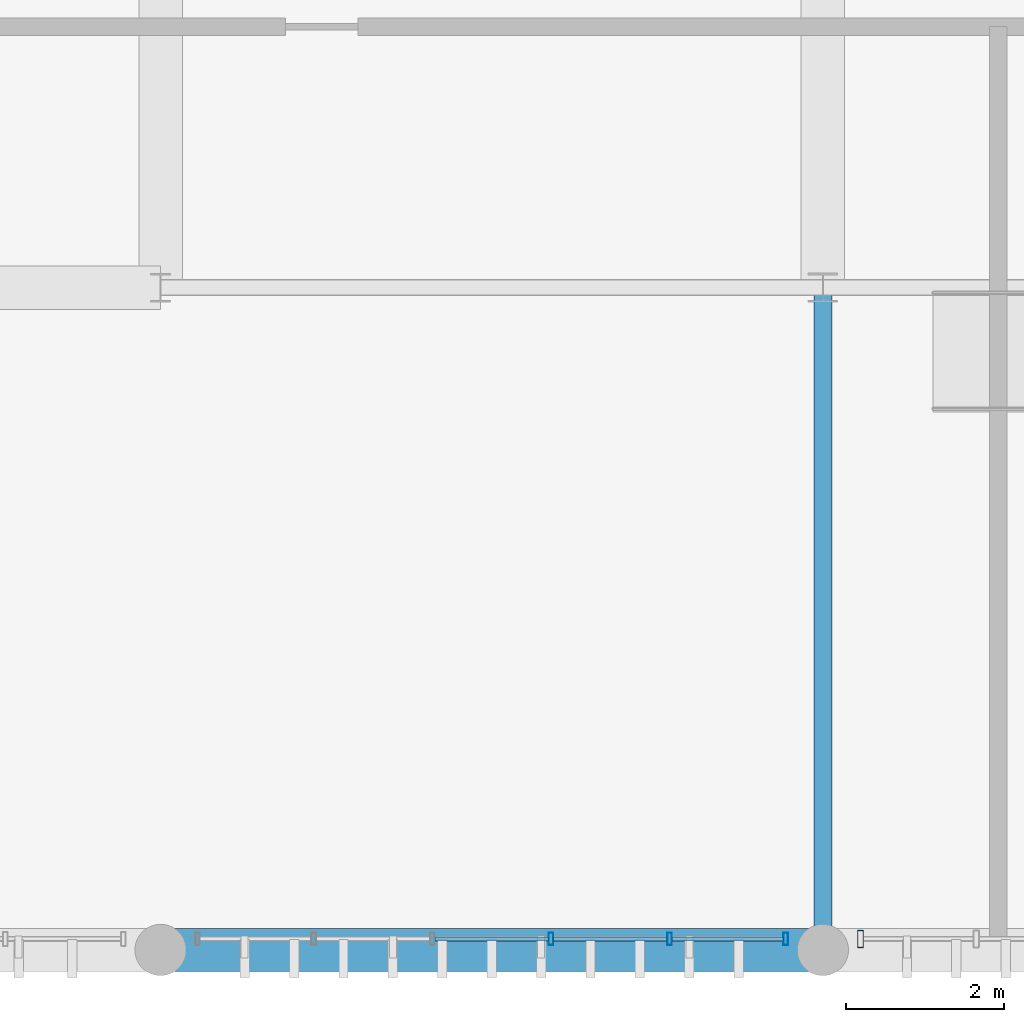
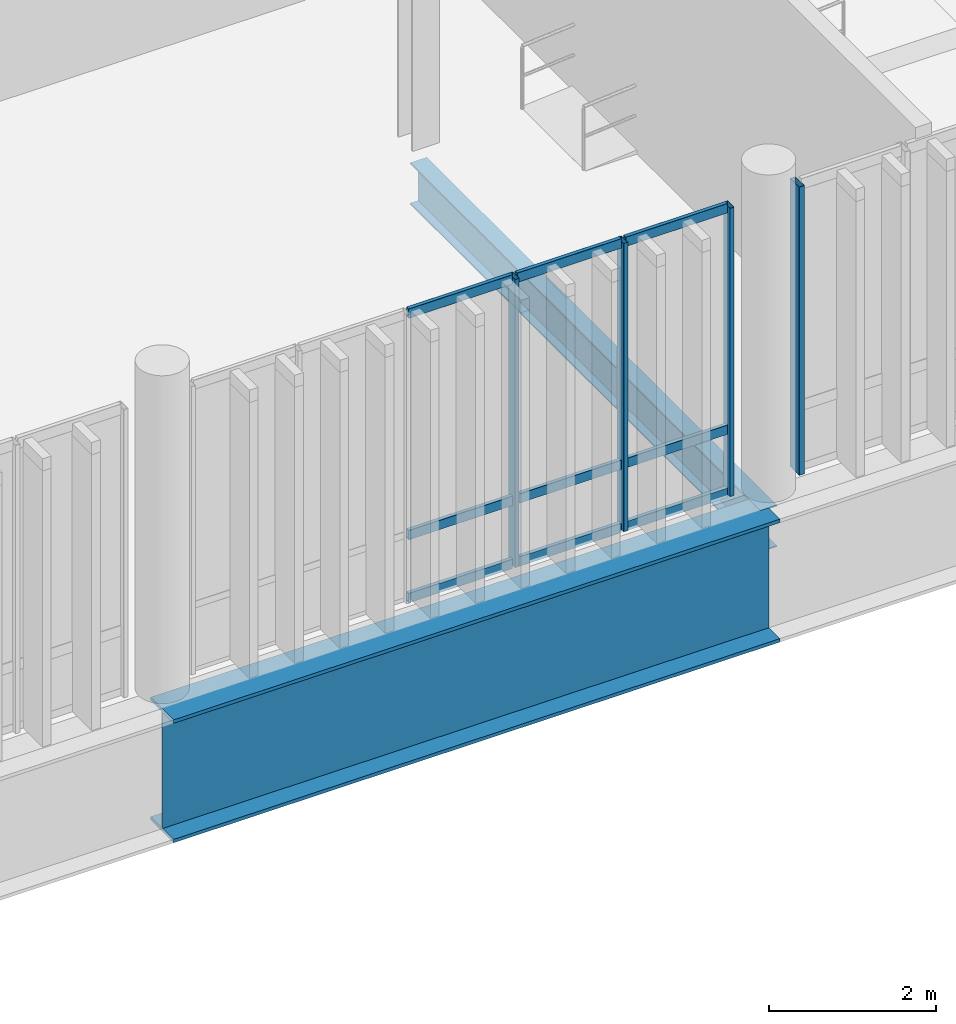
# One storey, part 7 of 81: 13 members, 2 beams, 2 elements without a shape of their own.
"""IFC4 building model written with IfcOpenShell, lengths in metres."""

from ifc_helpers import new_model, si_unit, direction, frame, origin_with_axes, origin_2d_with_axis, place, context, subcontext, project, spatial, hollow_rectangle, i_section, extrude, material, material_profile, profile_set, type_object, element, aggregate, save


model = new_model("IFC4")

# Units and contexts
model_context = context("Model", 3, precision=1e-05, world=origin_with_axes(), true_north=direction((0.0, 1.0)))
body_context = subcontext(model_context, "Body", "Model", "MODEL_VIEW")
ifc_project = project(units=[si_unit("LENGTHUNIT", "METRE"), si_unit("AREAUNIT", "SQUARE_METRE"), si_unit("VOLUMEUNIT", "CUBIC_METRE"), si_unit("PLANEANGLEUNIT", "RADIAN"), si_unit("MASSUNIT", "GRAM", prefix="KILO"), si_unit("THERMODYNAMICTEMPERATUREUNIT", "KELVIN")], contexts=[model_context])

# Site, building, storey
site_placement = place(None, origin_with_axes())
site = spatial("IfcSite", under=ifc_project, at=site_placement, CompositionType="ELEMENT")
building_placement = place(site_placement, origin_with_axes())
building = spatial("IfcBuilding", under=site, at=building_placement, Name="Montbau Bow Law Courts", CompositionType="ELEMENT")
storey_placement = place(building_placement, frame((0.0, 0.0, 24.9), z_axis=(0.0, 0.0, 1.0), x_axis=(1.0, 0.0, 0.0)))
storey = spatial("IfcBuildingStorey", under=building, at=storey_placement, Name="L05", CompositionType="ELEMENT", Elevation=24.9)

# Beams
ifc_material_1 = material(Name="Steel CSA G40.21 Grade 350W (350 MPa)", Category="steel")
ifc_material_profile_1 = material_profile(ifc_material_1, i_section(OverallWidth=0.229, OverallDepth=0.612, WebThickness=0.0119, FlangeThickness=0.0196, at=origin_2d_with_axis()), Name="W610X125", Category="Main", Priority=0)
ifc_profile_set_1 = profile_set([ifc_material_profile_1], Name="Steel CSA G40.21 Grade 350W (350 MPa)")
beam_type_1 = type_object("IfcBeamType", Name="B-FLR-05", PredefinedType="BEAM", material=ifc_profile_set_1)
beam_1_placement = place(None, frame((22.2, 30.6, 24.294), z_axis=(0.0, 1.0, 0.0), x_axis=(-1.0, 0.0, 0.0)))
element("IfcBeam", 1, at=beam_1_placement, inside=storey, type_object=beam_type_1, Name="BM-L05-S0663:bm2_0666", PredefinedType="BEAM", context=body_context, shape_type="SweptSolid", body=[
    extrude(i_section(OverallWidth=0.229, OverallDepth=0.612, WebThickness=0.0119, FlangeThickness=0.0196, at=origin_2d_with_axis()), origin_with_axes(), (0.0, 0.0, 1.0), 8.4),
])
ifc_material_2 = material(Name="Steel CSA G40.21 Grade 350WT (350 MPa)", Category="steel")
ifc_material_profile_2 = material_profile(ifc_material_2, i_section(OverallWidth=0.55, OverallDepth=1.8, WebThickness=0.022, FlangeThickness=0.05, at=origin_2d_with_axis()), Name="WWF1800X550", Category="Main", Priority=0)
ifc_profile_set_2 = profile_set([ifc_material_profile_2], Name="Steel CSA G40.21 Grade 350WT (350 MPa)")
beam_type_2 = type_object("IfcBeamType", Name="B-TRG-01", PredefinedType="USERDEFINED", material=ifc_profile_set_2)
beam_2_placement = place(None, frame((13.8, 30.6, 23.7), z_axis=(1.0, 0.0, 0.0), x_axis=(0.0, 1.0, 0.0)))
element("IfcBeam", 2, at=beam_2_placement, inside=storey, type_object=beam_type_2, Name="TRG-L05-S0046:bm2_0049", ObjectType="GIRDER", PredefinedType="USERDEFINED", context=body_context, shape_type="SweptSolid", body=[
    extrude(i_section(OverallWidth=0.55, OverallDepth=1.8, WebThickness=0.022, FlangeThickness=0.05, at=origin_2d_with_axis()), origin_with_axes(), (0.0, 0.0, 1.0), 8.4),
])

# Curtain wall, member
ifc_material_3 = material(Name="Thermally Broken Extruded Aluminium AA 6063-T6", Category="aluminium")
curtain_wall_type = type_object("IfcCurtainWallType", Name="CW-TRC-02", PredefinedType="NOTDEFINED", material=ifc_material_3)
curtain_wall_1_placement = place(None, frame((22.64, 30.74, 24.9), z_axis=(0.0, 0.0, 1.0), x_axis=(1.0, 0.0, 0.0)))
curtain_wall_1 = element("IfcCurtainWall", 3, at=curtain_wall_1_placement, inside=storey, type_object=curtain_wall_type, Name="CW-L05-078:cw_0078", PredefinedType="NOTDEFINED")
ifc_material_profile_3 = material_profile(ifc_material_3, hollow_rectangle(XDim=0.075, YDim=0.22, WallThickness=0.005, InnerFilletRadius=0.01, OuterFilletRadius=0.005, at=origin_2d_with_axis()), Name="CWM-220X75", Category="Main", Priority=0)
ifc_profile_set_3 = profile_set([ifc_material_profile_3], Name="Thermally Broken Extruded Aluminium AA 6063-T6")
member_type_1 = type_object("IfcMemberType", Name="M-MUL-01", PredefinedType="MULLION", material=ifc_profile_set_3)
member_1_placement = place(None, frame((22.677, 30.74, 24.9), z_axis=(0.0, 0.0, 1.0), x_axis=(1.0, 0.0, 0.0)))
member_1 = element("IfcMember", 4, at=member_1_placement, type_object=member_type_1, Name="CW-L05-078-M01:cw_0078_M01", PredefinedType="MULLION", context=body_context, shape_type="SweptSolid", body=[
    extrude(hollow_rectangle(XDim=0.075, YDim=0.22, WallThickness=0.005, InnerFilletRadius=0.01, OuterFilletRadius=0.005, at=origin_2d_with_axis()), origin_with_axes(), (0.0, 0.0, 1.0), 4.22),
])
aggregate(curtain_wall_1, [member_1])

# Curtain wall, members
curtain_wall_2_placement = place(None, frame((14.24, 30.74, 24.9), z_axis=(0.0, 0.0, 1.0), x_axis=(1.0, 0.0, 0.0)))
curtain_wall_2 = element("IfcCurtainWall", 5, at=curtain_wall_2_placement, inside=storey, type_object=curtain_wall_type, Name="CW-L05-077:cw_0077", PredefinedType="NOTDEFINED")
ifc_material_profile_4 = material_profile(ifc_material_3, hollow_rectangle(XDim=0.06, YDim=0.16, WallThickness=0.004, InnerFilletRadius=0.008, OuterFilletRadius=0.004, at=origin_2d_with_axis()), Name="CWM-160X60", Category="Main", Priority=0)
ifc_profile_set_4 = profile_set([ifc_material_profile_4], Name="Thermally Broken Extruded Aluminium AA 6063-T6")
member_type_2 = type_object("IfcMemberType", Name="M-MUL-03", PredefinedType="MULLION", material=ifc_profile_set_4)
member_2_placement = place(None, frame((18.752, 30.74, 24.9), z_axis=(0.0, 0.0, 1.0), x_axis=(1.0, 0.0, 0.0)))
member_2 = element("IfcMember", 6, at=member_2_placement, type_object=member_type_2, Name="CW-L05-077-M04:cw_0077_M04", PredefinedType="MULLION", context=body_context, shape_type="SweptSolid", body=[
    extrude(hollow_rectangle(XDim=0.06, YDim=0.16, WallThickness=0.004, InnerFilletRadius=0.008, OuterFilletRadius=0.004, at=origin_2d_with_axis()), origin_with_axes(), (0.0, 0.0, 1.0), 4.22),
])
member_3_placement = place(None, frame((20.256, 30.74, 24.9), z_axis=(0.0, 0.0, 1.0), x_axis=(1.0, 0.0, 0.0)))
member_3 = element("IfcMember", 7, at=member_3_placement, type_object=member_type_2, Name="CW-L05-077-M05:cw_0077_M05", PredefinedType="MULLION", context=body_context, shape_type="SweptSolid", body=[
    extrude(hollow_rectangle(XDim=0.06, YDim=0.16, WallThickness=0.004, InnerFilletRadius=0.008, OuterFilletRadius=0.004, at=origin_2d_with_axis()), origin_with_axes(), (0.0, 0.0, 1.0), 4.22),
])
member_4_placement = place(None, frame((21.73, 30.74, 24.9), z_axis=(0.0, 0.0, 1.0), x_axis=(1.0, 0.0, 0.0)))
member_4 = element("IfcMember", 8, at=member_4_placement, type_object=member_type_2, Name="CW-L05-077-M06:cw_0077_M06", PredefinedType="MULLION", context=body_context, shape_type="SweptSolid", body=[
    extrude(hollow_rectangle(XDim=0.06, YDim=0.16, WallThickness=0.004, InnerFilletRadius=0.008, OuterFilletRadius=0.004, at=origin_2d_with_axis()), origin_with_axes(), (0.0, 0.0, 1.0), 4.22),
])
ifc_material_profile_5 = material_profile(ifc_material_3, hollow_rectangle(XDim=0.055, YDim=0.14, WallThickness=0.004, InnerFilletRadius=0.008, OuterFilletRadius=0.004, at=origin_2d_with_axis()), Name="CWT-140X55", Category="Main", Priority=0)
ifc_profile_set_5 = profile_set([ifc_material_profile_5], Name="Thermally Broken Extruded Aluminium AA 6063-T6")
member_type_3 = type_object("IfcMemberType", Name="M-TRN-02", PredefinedType="USERDEFINED", material=ifc_profile_set_5)
member_5_placement = place(None, frame((17.28, 30.74, 24.927), z_axis=(1.0, 0.0, 0.0), x_axis=(0.0, 1.0, 0.0)))
member_5 = element("IfcMember", 9, at=member_5_placement, type_object=member_type_3, Name="CW-L05-077-T03-1:cw_0077_T03_1", ObjectType="TRANSOM", PredefinedType="USERDEFINED", context=body_context, shape_type="SweptSolid", body=[
    extrude(hollow_rectangle(XDim=0.055, YDim=0.14, WallThickness=0.004, InnerFilletRadius=0.008, OuterFilletRadius=0.004, at=origin_2d_with_axis()), origin_with_axes(), (0.0, 0.0, 1.0), 1.44),
])
member_6_placement = place(None, frame((17.28, 30.74, 25.85), z_axis=(1.0, 0.0, 0.0), x_axis=(0.0, 1.0, 0.0)))
member_6 = element("IfcMember", 10, at=member_6_placement, type_object=member_type_3, Name="CW-L05-077-T03-2:cw_0077_T03_2", ObjectType="TRANSOM", PredefinedType="USERDEFINED", context=body_context, shape_type="SweptSolid", body=[
    extrude(hollow_rectangle(XDim=0.055, YDim=0.14, WallThickness=0.004, InnerFilletRadius=0.008, OuterFilletRadius=0.004, at=origin_2d_with_axis()), origin_with_axes(), (0.0, 0.0, 1.0), 1.44),
])
member_7_placement = place(None, frame((17.28, 30.74, 29.093), z_axis=(1.0, 0.0, 0.0), x_axis=(0.0, 1.0, 0.0)))
member_7 = element("IfcMember", 11, at=member_7_placement, type_object=member_type_3, Name="CW-L05-077-T03-3:cw_0077_T03_3", ObjectType="TRANSOM", PredefinedType="USERDEFINED", context=body_context, shape_type="SweptSolid", body=[
    extrude(hollow_rectangle(XDim=0.055, YDim=0.14, WallThickness=0.004, InnerFilletRadius=0.008, OuterFilletRadius=0.004, at=origin_2d_with_axis()), origin_with_axes(), (0.0, 0.0, 1.0), 1.44),
])
member_8_placement = place(None, frame((18.784, 30.74, 24.927), z_axis=(1.0, 0.0, 0.0), x_axis=(0.0, 1.0, 0.0)))
member_8 = element("IfcMember", 12, at=member_8_placement, type_object=member_type_3, Name="CW-L05-077-T04-1:cw_0077_T04_1", ObjectType="TRANSOM", PredefinedType="USERDEFINED", context=body_context, shape_type="SweptSolid", body=[
    extrude(hollow_rectangle(XDim=0.055, YDim=0.14, WallThickness=0.004, InnerFilletRadius=0.008, OuterFilletRadius=0.004, at=origin_2d_with_axis()), origin_with_axes(), (0.0, 0.0, 1.0), 1.44),
])
member_9_placement = place(None, frame((18.784, 30.74, 25.85), z_axis=(1.0, 0.0, 0.0), x_axis=(0.0, 1.0, 0.0)))
member_9 = element("IfcMember", 13, at=member_9_placement, type_object=member_type_3, Name="CW-L05-077-T04-2:cw_0077_T04_2", ObjectType="TRANSOM", PredefinedType="USERDEFINED", context=body_context, shape_type="SweptSolid", body=[
    extrude(hollow_rectangle(XDim=0.055, YDim=0.14, WallThickness=0.004, InnerFilletRadius=0.008, OuterFilletRadius=0.004, at=origin_2d_with_axis()), origin_with_axes(), (0.0, 0.0, 1.0), 1.44),
])
member_10_placement = place(None, frame((18.784, 30.74, 29.093), z_axis=(1.0, 0.0, 0.0), x_axis=(0.0, 1.0, 0.0)))
member_10 = element("IfcMember", 14, at=member_10_placement, type_object=member_type_3, Name="CW-L05-077-T04-3:cw_0077_T04_3", ObjectType="TRANSOM", PredefinedType="USERDEFINED", context=body_context, shape_type="SweptSolid", body=[
    extrude(hollow_rectangle(XDim=0.055, YDim=0.14, WallThickness=0.004, InnerFilletRadius=0.008, OuterFilletRadius=0.004, at=origin_2d_with_axis()), origin_with_axes(), (0.0, 0.0, 1.0), 1.44),
])
member_11_placement = place(None, frame((20.288, 30.74, 24.927), z_axis=(1.0, 0.0, 0.0), x_axis=(0.0, 1.0, 0.0)))
member_11 = element("IfcMember", 15, at=member_11_placement, type_object=member_type_3, Name="CW-L05-077-T05-1:cw_0077_T05_1", ObjectType="TRANSOM", PredefinedType="USERDEFINED", context=body_context, shape_type="SweptSolid", body=[
    extrude(hollow_rectangle(XDim=0.055, YDim=0.14, WallThickness=0.004, InnerFilletRadius=0.008, OuterFilletRadius=0.004, at=origin_2d_with_axis()), origin_with_axes(), (0.0, 0.0, 1.0), 1.41),
])
member_12_placement = place(None, frame((20.288, 30.74, 25.85), z_axis=(1.0, 0.0, 0.0), x_axis=(0.0, 1.0, 0.0)))
member_12 = element("IfcMember", 16, at=member_12_placement, type_object=member_type_3, Name="CW-L05-077-T05-2:cw_0077_T05_2", ObjectType="TRANSOM", PredefinedType="USERDEFINED", context=body_context, shape_type="SweptSolid", body=[
    extrude(hollow_rectangle(XDim=0.055, YDim=0.14, WallThickness=0.004, InnerFilletRadius=0.008, OuterFilletRadius=0.004, at=origin_2d_with_axis()), origin_with_axes(), (0.0, 0.0, 1.0), 1.41),
])
member_13_placement = place(None, frame((20.288, 30.74, 29.093), z_axis=(1.0, 0.0, 0.0), x_axis=(0.0, 1.0, 0.0)))
member_13 = element("IfcMember", 17, at=member_13_placement, type_object=member_type_3, Name="CW-L05-077-T05-3:cw_0077_T05_3", ObjectType="TRANSOM", PredefinedType="USERDEFINED", context=body_context, shape_type="SweptSolid", body=[
    extrude(hollow_rectangle(XDim=0.055, YDim=0.14, WallThickness=0.004, InnerFilletRadius=0.008, OuterFilletRadius=0.004, at=origin_2d_with_axis()), origin_with_axes(), (0.0, 0.0, 1.0), 1.41),
])
aggregate(curtain_wall_2, [member_2, member_3, member_4, member_5, member_6, member_7, member_8, member_9, member_10, member_11, member_12, member_13])

save(model, "model.ifc")
